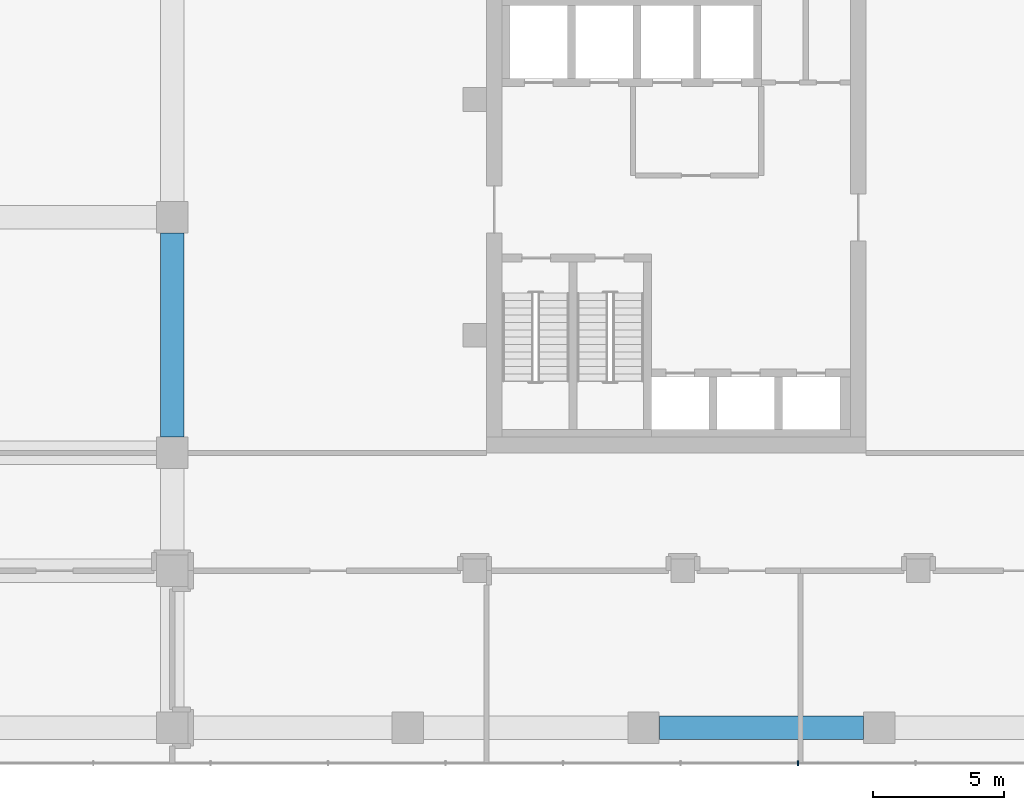
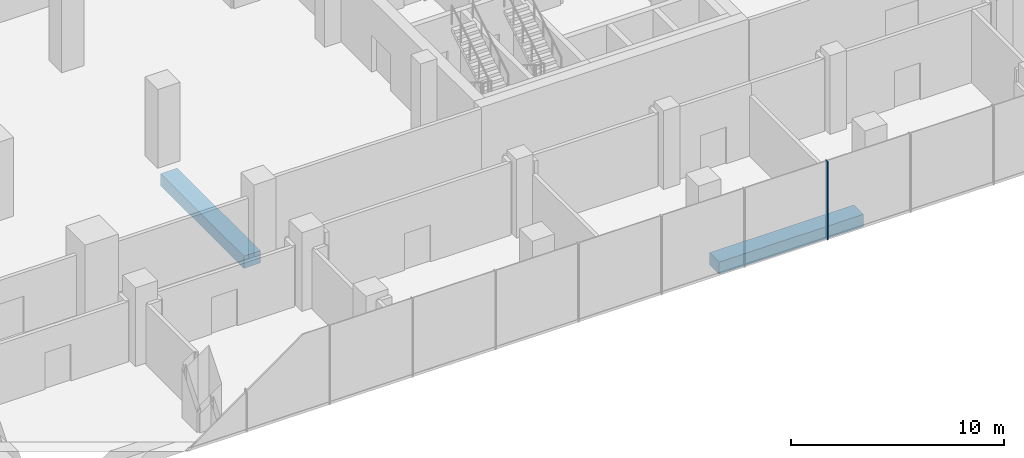
# One storey, part 14 of 43: 2 beams, 1 member, 1 element without a shape of its own.
"""IFC4 building model written with IfcOpenShell, lengths in metres."""

from ifc_helpers import new_model, si_unit, direction, frame, origin, origin_2d, place, context, subcontext, project, spatial, rectangle, extrude, material, layer, layer_set, material_profile, profile_set, type_object, element, aggregate, save


model = new_model("IFC4")

# Units and contexts
model_context = context("Model", 3, precision=1e-05, world=origin(), true_north=direction((0.0, 1.0)))
body_context = subcontext(model_context, "Body", "Model", "MODEL_VIEW")
ifc_project = project(units=[si_unit("LENGTHUNIT", "METRE"), si_unit("AREAUNIT", "SQUARE_METRE"), si_unit("VOLUMEUNIT", "CUBIC_METRE"), si_unit("PLANEANGLEUNIT", "RADIAN"), si_unit("MASSUNIT", "GRAM", prefix="KILO")], contexts=[model_context])

# Site, building, storey
site_placement = place(None, origin())
site = spatial("IfcSite", under=ifc_project, at=site_placement, CompositionType="ELEMENT")
building_placement = place(site_placement, origin())
building = spatial("IfcBuilding", under=site, at=building_placement, Name="Plateau Cross Towers", CompositionType="ELEMENT")
storey_placement = place(building_placement, frame((0.0, 0.0, 12.800048828125)))
storey = spatial("IfcBuildingStorey", under=building, at=storey_placement, Name="L02", CompositionType="ELEMENT", Elevation=12.800048828125)

# Curtain wall, member
ifc_material_1 = material(Name="Dark low-iron laminated glass", Category="glass")
ifc_layer = layer(ifc_material_1, 0.300048828125)
ifc_layer_set = layer_set([ifc_layer], Name="Dark low-iron laminated glass")
curtain_wall_type = type_object("IfcCurtainWallType", Name="Curtain wall structural silicone CW-C", PredefinedType="NOTDEFINED", material=ifc_layer_set)
curtain_wall_placement = place(storey_placement, origin())
curtain_wall = element("IfcCurtainWall", 1, at=curtain_wall_placement, inside=storey, type_object=curtain_wall_type, Name="ENV/P/L02/P-28_-118", PredefinedType="NOTDEFINED")
ifc_material_2 = material(Name="Black anodised aluminium", Category="aluminium")
ifc_material_profile_1 = material_profile(ifc_material_2, rectangle(XDim=0.050048828125, YDim=0.199951171875, at=origin_2d()), Name="MULLION 50x200")
ifc_profile_set_1 = profile_set([ifc_material_profile_1], Name="Black anodised aluminium")
member_type = type_object("IfcMemberType", Name="Mullion 50x200 structural silicone", PredefinedType="MULLION", material=ifc_profile_set_1)
member_placement = place(storey_placement, frame((86.89990234375, -11.85009765625, -0.35009765625), z_axis=(0.0, 0.0, 1.0), x_axis=(1.0, 0.0, 0.0)))
member = element("IfcMember", 2, at=member_placement, type_object=member_type, Name="CW-C mullion 21", PredefinedType="MULLION", context=body_context, shape_type="SweptSolid", body=[
    extrude(rectangle(XDim=0.050048828125, YDim=0.199951171875, at=origin_2d()), origin(), (0.0, 0.0, 1.0), 4.5),
])
aggregate(curtain_wall, [member])

# Beams
ifc_material_3 = material(Name="Concrete C50/60", Category="concrete")
ifc_material_profile_2 = material_profile(ifc_material_3, rectangle(XDim=0.89990234375, YDim=0.699951171875, at=origin_2d()), Name="RC 900x700")
ifc_profile_set_2 = profile_set([ifc_material_profile_2], Name="Concrete C50/60")
beam_type = type_object("IfcBeamType", Name="Podium band beam RC 900x700", PredefinedType="BEAM", material=ifc_profile_set_2)
for number, where, z_axis, x_axis, name in (
    (3, (81.60009765625, -10.5, -0.699951171875), (1.0, 0.0, 0.0), (0.0, 1.0, 0.0), "PB11@L02"),
    (4, (63.0, 0.60009765625, -0.699951171875), (0.0, 1.0, 0.0), (-1.0, 0.0, 0.0), "PB150@L02"),
):
    element("IfcBeam", number, at=place(storey_placement, frame(where, z_axis=z_axis, x_axis=x_axis)), inside=storey, type_object=beam_type, Name=name, PredefinedType="BEAM", context=body_context, shape_type="SweptSolid", body=[
        extrude(rectangle(XDim=0.89990234375, YDim=0.699951171875, at=origin_2d()), origin(), (0.0, 0.0, 1.0), 7.7998046875),
    ])

save(model, "model.ifc")
